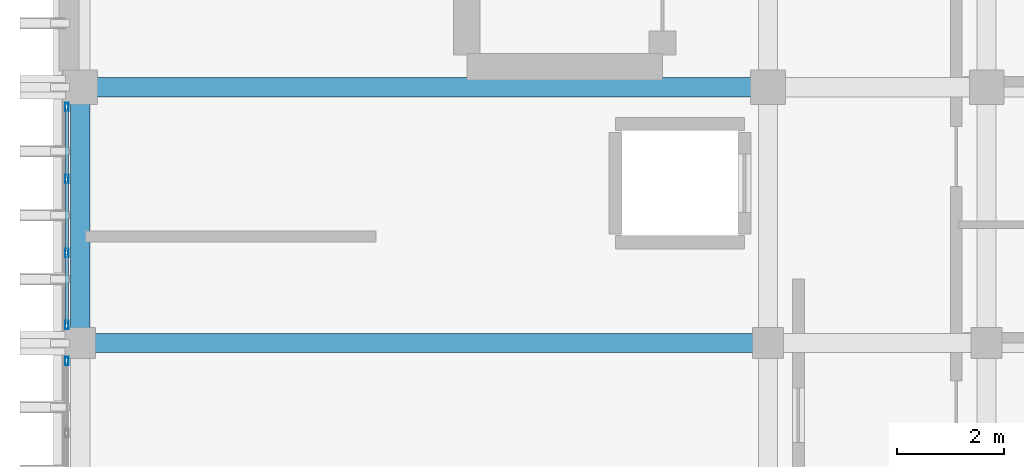
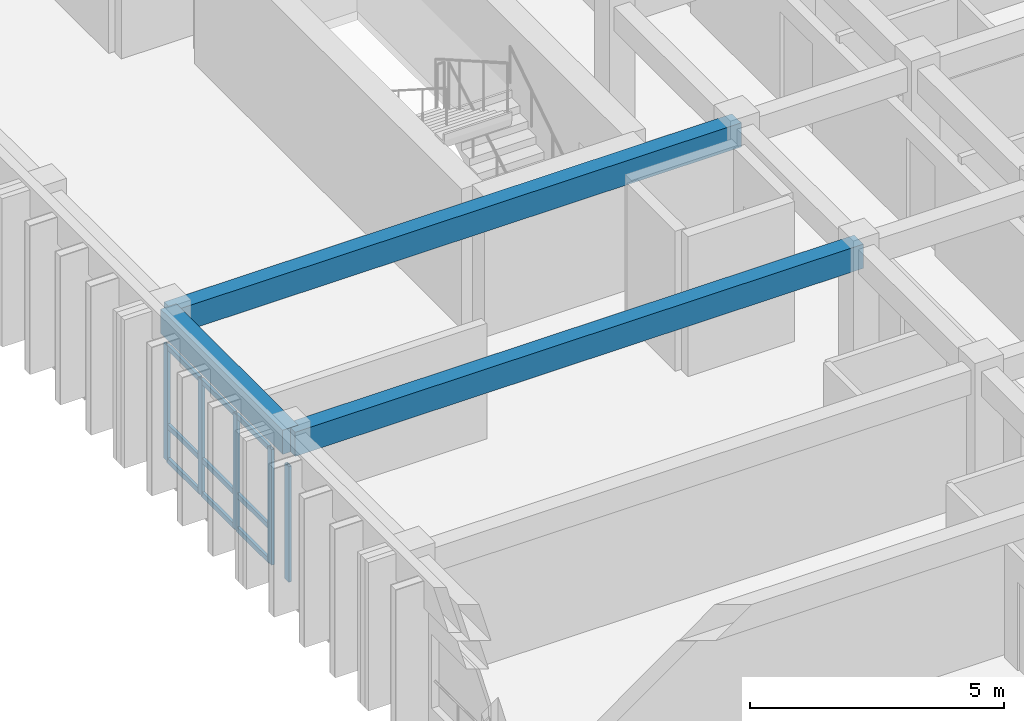
# One storey, part 9 of 49: 14 members, 3 beams, 2 elements without a shape of their own.
"""IFC4 building model written with IfcOpenShell, lengths in metres."""

import ifcopenshell
import ifcopenshell.guid

model = None  # the IFC model being written
_history = None  # IfcOwnerHistory: only IFC2X3 demands one
_inside = {}  # id of a spatial element -> (the spatial element, [elements in it])
_under = {}  # id of a project, library or spatial element -> (it, [spatial elements below it])
_declared = {}  # id of a project -> (the project, [libraries it declares])
_typed = {}  # id of a type object -> (the type object, [elements of that type])
_made_of = {}  # id of a material, layer set ... -> (it, [elements and type objects made of it])


def new_model(schema):
    """Start an empty IFC model of exactly this schema.

    Asked for "IFC4X3", IfcOpenShell would pick the latest addendum, in which some entities
    have other attributes; the version numbers below select the first issue.
    IFC2X3 requires an IfcOwnerHistory on every rooted entity: one is made here for all.
    """
    global model, _history
    if schema == "IFC4X3":
        model = ifcopenshell.file(schema_version=(4, 3, 0, 0))
    else:
        model = ifcopenshell.file(schema=schema)
    _inside.clear()
    _under.clear()
    _declared.clear()
    _typed.clear()
    _made_of.clear()
    _history = None
    if model.schema == "IFC2X3":
        org = make("IfcOrganization", Name="unknown")
        user = make(
            "IfcPersonAndOrganization",
            ThePerson=make("IfcPerson", FamilyName="unknown"),
            TheOrganization=org,
        )
        app = make(
            "IfcApplication",
            ApplicationDeveloper=org,
            Version="unknown",
            ApplicationFullName="unknown",
            ApplicationIdentifier="unknown",
        )
        _history = make(
            "IfcOwnerHistory",
            OwningUser=user,
            OwningApplication=app,
            ChangeAction="ADDED",
            CreationDate=0,
        )
    return model


def make(cls, **values):
    """One entity of the class cls with the attributes given. An attribute that is None is left unset."""
    return model.create_entity(
        cls, **{name: value for name, value in values.items() if value is not None}
    )


def rooted(cls, **values):
    """An entity with a GlobalId (a new one), such as an element, a storey or a relation."""
    return make(cls, GlobalId=ifcopenshell.guid.new(), OwnerHistory=_history, **values)


def si_unit(unit_type, name, prefix=None):
    """IfcSIUnit, for example si_unit("LENGTHUNIT", "METRE", prefix="MILLI")."""
    return make("IfcSIUnit", UnitType=unit_type, Prefix=prefix, Name=name)


def assignment(units):
    """IfcUnitAssignment: the units of a project."""
    return None if units is None else make("IfcUnitAssignment", Units=units)


def point(xyz):
    """IfcCartesianPoint."""
    return None if xyz is None else make("IfcCartesianPoint", Coordinates=xyz)


def direction(xyz):
    """IfcDirection."""
    return None if xyz is None else make("IfcDirection", DirectionRatios=xyz)


def frame(location, z_axis=None, x_axis=None):
    """IfcAxis2Placement3D, a coordinate frame: its origin and axes. An axis left out is left unset."""
    return make(
        "IfcAxis2Placement3D",
        Location=point(location),
        Axis=direction(z_axis),
        RefDirection=direction(x_axis),
    )


def frame_2d(location, x_axis=None):
    """IfcAxis2Placement2D, a coordinate frame in the plane: its origin and x axis."""
    return make(
        "IfcAxis2Placement2D", Location=point(location), RefDirection=direction(x_axis)
    )


def origin():
    """The frame at (0, 0, 0) with its axes left unset."""
    return frame((0.0, 0.0, 0.0))


def origin_2d():
    """The frame at (0, 0) in the plane with its x axis left unset."""
    return frame_2d((0.0, 0.0))


def place(relative_to, where):
    """IfcLocalPlacement: puts the frame where relative to a parent placement (None: the world)."""
    return make(
        "IfcLocalPlacement", PlacementRelTo=relative_to, RelativePlacement=where
    )


def context(
    kind, dimensions, precision=None, world=None, true_north=None, identifier=None
):
    """IfcGeometricRepresentationContext, for example the 3D "Model" context."""
    return make(
        "IfcGeometricRepresentationContext",
        ContextIdentifier=identifier,
        ContextType=kind,
        CoordinateSpaceDimension=dimensions,
        Precision=precision,
        WorldCoordinateSystem=world,
        TrueNorth=true_north,
    )


def subcontext(parent, identifier, kind, view, scale=None):
    """IfcGeometricRepresentationSubContext, for example "Body" below "Model"."""
    return make(
        "IfcGeometricRepresentationSubContext",
        ContextIdentifier=identifier,
        ContextType=kind,
        ParentContext=parent,
        TargetScale=scale,
        TargetView=view,
    )


def project(units=None, contexts=None):
    """IfcProject with its units and contexts."""
    return rooted(
        "IfcProject",
        Name="project",
        RepresentationContexts=contexts,
        UnitsInContext=assignment(units),
    )


def spatial(cls, under=None, at=None, **own):
    """A site, building, storey or space (cls), placed at a placement, below another one or the project."""
    s = rooted(cls, ObjectPlacement=at, **own)
    if under is not None:
        _under.setdefault(under.id(), (under, []))[1].append(s)
    return s


def profile(cls, at=None, kind="AREA", **sizes):
    """A parametric profile (cls). Its sizes go by their IFC names, for example OverallWidth=200.0."""
    return make(cls, ProfileType=kind, Position=at, **sizes)


def rectangle(**sizes):
    """IfcRectangleProfileDef."""
    return profile("IfcRectangleProfileDef", **sizes)


def hollow_rectangle(**sizes):
    """IfcRectangleHollowProfileDef."""
    return profile("IfcRectangleHollowProfileDef", **sizes)


def extrude(swept, where, along, depth):
    """IfcExtrudedAreaSolid: the profile swept, set in the frame where, extruded along a direction by depth."""
    return make(
        "IfcExtrudedAreaSolid",
        SweptArea=swept,
        Position=where,
        ExtrudedDirection=direction(along),
        Depth=depth,
    )


def shape(context_of_items, identifier, shape_type, items):
    """IfcShapeRepresentation: the items that make up one representation, for example the "Body"."""
    return make(
        "IfcShapeRepresentation",
        ContextOfItems=context_of_items,
        RepresentationIdentifier=identifier,
        RepresentationType=shape_type,
        Items=items,
    )


def material(Name=None, Category=None):
    """IfcMaterial."""
    return make("IfcMaterial", Name=Name, Category=Category)


def layer(
    of_material, thickness, ventilated=None, Name=None, Category=None, Priority=None
):
    """IfcMaterialLayer: one layer of a wall or slab, of a material (None: an air gap)."""
    return make(
        "IfcMaterialLayer",
        Material=of_material,
        LayerThickness=thickness,
        IsVentilated=ventilated,
        Name=Name,
        Category=Category,
        Priority=Priority,
    )


def layer_set(layers, Name=None):
    """IfcMaterialLayerSet."""
    return make("IfcMaterialLayerSet", MaterialLayers=layers, LayerSetName=Name)


def material_profile(
    of_material, cross_section, Name=None, Category=None, Priority=None
):
    """IfcMaterialProfile: a cross section and its material."""
    return make(
        "IfcMaterialProfile",
        Name=Name,
        Material=of_material,
        Profile=cross_section,
        Priority=Priority,
        Category=Category,
    )


def profile_set(profiles, Name=None, composite=None):
    """IfcMaterialProfileSet."""
    return make(
        "IfcMaterialProfileSet",
        Name=Name,
        MaterialProfiles=profiles,
        CompositeProfile=composite,
    )


def made_of(thing, what):
    """Note that an element or type object is made of a material, layer set ...; save() writes the relation."""
    if what is not None:
        _made_of.setdefault(what.id(), (what, []))[1].append(thing)
    return thing


def type_object(cls, material=None, **own):
    """A type object (cls), such as IfcWallType, which elements share."""
    return made_of(rooted(cls, **own), material)


def element(
    cls,
    number,
    at=None,
    inside=None,
    cuts=None,
    type_object=None,
    material=None,
    context=None,
    identifier="Body",
    shape_type=None,
    held_by="IfcProductDefinitionShape",
    body=None,
    shapes=None,
    **own,
):
    """One element of the class cls, such as IfcWall. Its Tag is "e" and its number.

    at: its placement. inside: the storey or other place that contains it. cuts: it is an
    opening in that element (IfcRelVoidsElement). A single representation is given by context,
    identifier, shape_type and body (its items); several are given by shapes. held_by: the class
    of the entity that holds the representations. save() writes the other relations.
    """
    e = rooted(cls, Tag="e%d" % number, ObjectPlacement=at, **own)
    if body is not None:
        shapes = [shape(context, identifier, shape_type, body)]
    if shapes is not None:
        e.Representation = make(held_by, Representations=shapes)
    if inside is not None:
        _inside.setdefault(inside.id(), (inside, []))[1].append(e)
    if cuts is not None:
        rooted(
            "IfcRelVoidsElement", RelatingBuildingElement=cuts, RelatedOpeningElement=e
        )
    if type_object is not None:
        _typed.setdefault(type_object.id(), (type_object, []))[1].append(e)
    return made_of(e, material)


def aggregate(whole, parts):
    """IfcRelAggregates: a whole, such as a stair, and the parts it consists of."""
    return rooted("IfcRelAggregates", RelatingObject=whole, RelatedObjects=parts)


def save(model, path):
    """Write the relations noted so far, then the file.

    IfcRelAggregates (storeys below a building ...), IfcRelContainedInSpatialStructure (elements
    in a storey), IfcRelDefinesByType, IfcRelAssociatesMaterial and IfcRelDeclares: one each for
    every whole, place, type object, material and project.
    """
    for whole, parts in _under.values():
        aggregate(whole, parts)
    for where, things in _inside.values():
        rooted(
            "IfcRelContainedInSpatialStructure",
            RelatedElements=things,
            RelatingStructure=where,
        )
    for kind, things in _typed.values():
        rooted("IfcRelDefinesByType", RelatedObjects=things, RelatingType=kind)
    for what, things in _made_of.values():
        rooted("IfcRelAssociatesMaterial", RelatedObjects=things, RelatingMaterial=what)
    for by, libraries in _declared.values():
        rooted("IfcRelDeclares", RelatingContext=by, RelatedDefinitions=libraries)
    model.write(path)


model = new_model("IFC4")

# Units and contexts
model_context = context("Model", 3, precision=1e-05, world=origin(), true_north=direction((0.0, 1.0)))
body_context = subcontext(model_context, "Body", "Model", "MODEL_VIEW")
ifc_project = project(units=[si_unit("LENGTHUNIT", "METRE"), si_unit("AREAUNIT", "SQUARE_METRE"), si_unit("VOLUMEUNIT", "CUBIC_METRE"), si_unit("PLANEANGLEUNIT", "RADIAN"), si_unit("MASSUNIT", "GRAM", prefix="KILO")], contexts=[model_context])

# Site, building, storey
site_placement = place(None, origin())
site = spatial("IfcSite", under=ifc_project, at=site_placement, CompositionType="ELEMENT")
building_placement = place(site_placement, origin())
building = spatial("IfcBuilding", under=site, at=building_placement, Name="Nakhvara Creek Congress Hotel", CompositionType="ELEMENT")
storey_placement = place(building_placement, frame((0.0, 0.0, 39.0)))
storey = spatial("IfcBuildingStorey", under=building, at=storey_placement, Name="L09", CompositionType="ELEMENT", Elevation=39.0)

# Beams
ifc_material_1 = material(Name="Concrete C40/50", Category="concrete")
ifc_material_profile_1 = material_profile(ifc_material_1, rectangle(XDim=0.360107421875, YDim=0.580078125, at=origin_2d()), Name="RC-BM 360x580", Category="LoadBearing")
ifc_profile_set_1 = profile_set([ifc_material_profile_1], Name="Concrete C40/50")
beam_type = type_object("IfcBeamType", Name="BM-RC-360X580", PredefinedType="BEAM", material=ifc_profile_set_1)
beam_1_placement = place(storey_placement, frame((149.449951171875, 76.800048828125, 3.070068359375), z_axis=(1.0, 0.0, 0.0), x_axis=(0.0, 1.0, 0.0)))
element("IfcBeam", 1, at=beam_1_placement, inside=storey, type_object=beam_type, Name="Beam B09-L09-2538", PredefinedType="BEAM", context=body_context, shape_type="SweptSolid", body=[
    extrude(rectangle(XDim=0.360107421875, YDim=0.580078125, at=origin_2d()), origin(), (0.0, 0.0, 1.0), 12.900146484375),
])
beam_2_placement = place(storey_placement, frame((149.449951171875, 72.0, 3.070068359375), z_axis=(0.0, 1.0, 0.0), x_axis=(-1.0, 0.0, 0.0)))
element("IfcBeam", 2, at=beam_2_placement, inside=storey, type_object=beam_type, Name="Beam B09-L09-2539", PredefinedType="BEAM", context=body_context, shape_type="SweptSolid", body=[
    extrude(rectangle(XDim=0.360107421875, YDim=0.580078125, at=origin_2d()), origin(), (0.0, 0.0, 1.0), 4.800048828125),
])
beam_3_placement = place(storey_placement, frame((149.449951171875, 72.0, 3.070068359375), z_axis=(1.0, 0.0, 0.0), x_axis=(0.0, 1.0, 0.0)))
element("IfcBeam", 3, at=beam_3_placement, inside=storey, type_object=beam_type, Name="Beam B09-L09-2612", PredefinedType="BEAM", context=body_context, shape_type="SweptSolid", body=[
    extrude(rectangle(XDim=0.360107421875, YDim=0.580078125, at=origin_2d()), origin(), (0.0, 0.0, 1.0), 12.900146484375),
])

# Curtain wall, member
ifc_material_2 = material(Name="Bronze-anodised aluminium AW-6063-T6 and double-silver low-E glass", Category="aluminium")
ifc_layer = layer(ifc_material_2, 0.199951171875)
ifc_layer_set = layer_set([ifc_layer], Name="Bronze-anodised aluminium AW-6063-T6 and double-silver low-E glass")
curtain_wall_type = type_object("IfcCurtainWallType", Name="CW-HTL-UNIT", PredefinedType="USERDEFINED", material=ifc_layer_set)
curtain_wall_1_placement = place(storey_placement, origin())
curtain_wall_1 = element("IfcCurtainWall", 4, at=curtain_wall_1_placement, inside=storey, type_object=curtain_wall_type, Name="Curtain Wall CW298", ObjectType="UNITISED", PredefinedType="USERDEFINED")
ifc_material_3 = material(Name="Bronze-anodised aluminium AW-6063-T6", Category="aluminium")
ifc_material_profile_2 = material_profile(ifc_material_3, hollow_rectangle(XDim=0.06494140625, YDim=0.159912109375, WallThickness=0.00390625, at=origin_2d()), Name="ALU-MULL 65x160x4", Category="LoadBearing")
ifc_profile_set_2 = profile_set([ifc_material_profile_2], Name="Bronze-anodised aluminium AW-6063-T6")
member_type_1 = type_object("IfcMemberType", Name="CW-MULL-160", PredefinedType="MULLION", material=ifc_profile_set_2)
member_1_placement = place(storey_placement, frame((149.199951171875, 71.66259765625, 0.0), z_axis=(0.0, 0.0, 1.0), x_axis=(-1.0, 0.0, 0.0)))
member_1 = element("IfcMember", 5, at=member_1_placement, type_object=member_type_1, Name="CW298 mullion 4", PredefinedType="MULLION", context=body_context, shape_type="SweptSolid", body=[
    extrude(hollow_rectangle(XDim=0.06494140625, YDim=0.159912109375, WallThickness=0.00390625, at=origin_2d()), origin(), (0.0, 0.0, 1.0), 2.77197265625),
])
aggregate(curtain_wall_1, [member_1])

# Curtain wall, members
curtain_wall_2_placement = place(storey_placement, origin())
curtain_wall_2 = element("IfcCurtainWall", 6, at=curtain_wall_2_placement, inside=storey, type_object=curtain_wall_type, Name="Curtain Wall CW300", ObjectType="UNITISED", PredefinedType="USERDEFINED")
member_2_placement = place(storey_placement, frame((149.199951171875, 72.33740234375, 0.0), z_axis=(0.0, 0.0, 1.0), x_axis=(-1.0, 0.0, 0.0)))
member_2 = element("IfcMember", 7, at=member_2_placement, type_object=member_type_1, Name="CW300 mullion 1", PredefinedType="MULLION", context=body_context, shape_type="SweptSolid", body=[
    extrude(hollow_rectangle(XDim=0.06494140625, YDim=0.159912109375, WallThickness=0.00390625, at=origin_2d()), origin(), (0.0, 0.0, 1.0), 2.77197265625),
])
member_3_placement = place(storey_placement, frame((149.199951171875, 73.68994140625, 0.0), z_axis=(0.0, 0.0, 1.0), x_axis=(-1.0, 0.0, 0.0)))
member_3 = element("IfcMember", 8, at=member_3_placement, type_object=member_type_1, Name="CW300 mullion 2", PredefinedType="MULLION", context=body_context, shape_type="SweptSolid", body=[
    extrude(hollow_rectangle(XDim=0.06494140625, YDim=0.159912109375, WallThickness=0.00390625, at=origin_2d()), origin(), (0.0, 0.0, 1.0), 2.77197265625),
])
member_4_placement = place(storey_placement, frame((149.199951171875, 75.074951171875, 0.0), z_axis=(0.0, 0.0, 1.0), x_axis=(-1.0, 0.0, 0.0)))
member_4 = element("IfcMember", 9, at=member_4_placement, type_object=member_type_1, Name="CW300 mullion 3", PredefinedType="MULLION", context=body_context, shape_type="SweptSolid", body=[
    extrude(hollow_rectangle(XDim=0.06494140625, YDim=0.159912109375, WallThickness=0.00390625, at=origin_2d()), origin(), (0.0, 0.0, 1.0), 2.77197265625),
])
member_5_placement = place(storey_placement, frame((149.199951171875, 76.427490234375, 0.0), z_axis=(0.0, 0.0, 1.0), x_axis=(-1.0, 0.0, 0.0)))
member_5 = element("IfcMember", 10, at=member_5_placement, type_object=member_type_1, Name="CW300 mullion 4", PredefinedType="MULLION", context=body_context, shape_type="SweptSolid", body=[
    extrude(hollow_rectangle(XDim=0.06494140625, YDim=0.159912109375, WallThickness=0.00390625, at=origin_2d()), origin(), (0.0, 0.0, 1.0), 2.77197265625),
])
ifc_material_profile_3 = material_profile(ifc_material_3, hollow_rectangle(XDim=0.06494140625, YDim=0.1201171875, WallThickness=0.00390625, at=origin_2d()), Name="ALU-TRAN 65x120x4", Category="LoadBearing")
ifc_profile_set_3 = profile_set([ifc_material_profile_3], Name="Bronze-anodised aluminium AW-6063-T6")
member_type_2 = type_object("IfcMemberType", Name="CW-TRAN-120", PredefinedType="USERDEFINED", material=ifc_profile_set_3)
member_6_placement = place(storey_placement, frame((149.199951171875, 72.3701171875, 0.032470703125), z_axis=(0.0, 1.0, 0.0), x_axis=(-1.0, 0.0, 0.0)))
member_6 = element("IfcMember", 11, at=member_6_placement, type_object=member_type_2, Name="CW300 transom 1.1", ObjectType="TRANSOM", PredefinedType="USERDEFINED", context=body_context, shape_type="SweptSolid", body=[
    extrude(hollow_rectangle(XDim=0.06494140625, YDim=0.1201171875, WallThickness=0.00390625, at=origin_2d()), origin(), (0.0, 0.0, 1.0), 1.287353515625),
])
member_7_placement = place(storey_placement, frame((149.199951171875, 72.3701171875, 0.85009765625), z_axis=(0.0, 1.0, 0.0), x_axis=(-1.0, 0.0, 0.0)))
member_7 = element("IfcMember", 12, at=member_7_placement, type_object=member_type_2, Name="CW300 transom 1.2", ObjectType="TRANSOM", PredefinedType="USERDEFINED", context=body_context, shape_type="SweptSolid", body=[
    extrude(hollow_rectangle(XDim=0.06494140625, YDim=0.1201171875, WallThickness=0.00390625, at=origin_2d()), origin(), (0.0, 0.0, 1.0), 1.287353515625),
])
member_8_placement = place(storey_placement, frame((149.199951171875, 72.3701171875, 2.739501953125), z_axis=(0.0, 1.0, 0.0), x_axis=(-1.0, 0.0, 0.0)))
member_8 = element("IfcMember", 13, at=member_8_placement, type_object=member_type_2, Name="CW300 transom 1.3", ObjectType="TRANSOM", PredefinedType="USERDEFINED", context=body_context, shape_type="SweptSolid", body=[
    extrude(hollow_rectangle(XDim=0.06494140625, YDim=0.1201171875, WallThickness=0.00390625, at=origin_2d()), origin(), (0.0, 0.0, 1.0), 1.287353515625),
])
member_9_placement = place(storey_placement, frame((149.199951171875, 73.722412109375, 0.032470703125), z_axis=(0.0, 1.0, 0.0), x_axis=(-1.0, 0.0, 0.0)))
member_9 = element("IfcMember", 14, at=member_9_placement, type_object=member_type_2, Name="CW300 transom 2.1", ObjectType="TRANSOM", PredefinedType="USERDEFINED", context=body_context, shape_type="SweptSolid", body=[
    extrude(hollow_rectangle(XDim=0.06494140625, YDim=0.1201171875, WallThickness=0.00390625, at=origin_2d()), origin(), (0.0, 0.0, 1.0), 1.320068359375),
])
member_10_placement = place(storey_placement, frame((149.199951171875, 73.722412109375, 0.85009765625), z_axis=(0.0, 1.0, 0.0), x_axis=(-1.0, 0.0, 0.0)))
member_10 = element("IfcMember", 15, at=member_10_placement, type_object=member_type_2, Name="CW300 transom 2.2", ObjectType="TRANSOM", PredefinedType="USERDEFINED", context=body_context, shape_type="SweptSolid", body=[
    extrude(hollow_rectangle(XDim=0.06494140625, YDim=0.1201171875, WallThickness=0.00390625, at=origin_2d()), origin(), (0.0, 0.0, 1.0), 1.320068359375),
])
member_11_placement = place(storey_placement, frame((149.199951171875, 73.722412109375, 2.739501953125), z_axis=(0.0, 1.0, 0.0), x_axis=(-1.0, 0.0, 0.0)))
member_11 = element("IfcMember", 16, at=member_11_placement, type_object=member_type_2, Name="CW300 transom 2.3", ObjectType="TRANSOM", PredefinedType="USERDEFINED", context=body_context, shape_type="SweptSolid", body=[
    extrude(hollow_rectangle(XDim=0.06494140625, YDim=0.1201171875, WallThickness=0.00390625, at=origin_2d()), origin(), (0.0, 0.0, 1.0), 1.320068359375),
])
member_12_placement = place(storey_placement, frame((149.199951171875, 75.107421875, 0.032470703125), z_axis=(0.0, 1.0, 0.0), x_axis=(-1.0, 0.0, 0.0)))
member_12 = element("IfcMember", 17, at=member_12_placement, type_object=member_type_2, Name="CW300 transom 3.1", ObjectType="TRANSOM", PredefinedType="USERDEFINED", context=body_context, shape_type="SweptSolid", body=[
    extrude(hollow_rectangle(XDim=0.06494140625, YDim=0.1201171875, WallThickness=0.00390625, at=origin_2d()), origin(), (0.0, 0.0, 1.0), 1.28759765625),
])
member_13_placement = place(storey_placement, frame((149.199951171875, 75.107421875, 0.85009765625), z_axis=(0.0, 1.0, 0.0), x_axis=(-1.0, 0.0, 0.0)))
member_13 = element("IfcMember", 18, at=member_13_placement, type_object=member_type_2, Name="CW300 transom 3.2", ObjectType="TRANSOM", PredefinedType="USERDEFINED", context=body_context, shape_type="SweptSolid", body=[
    extrude(hollow_rectangle(XDim=0.06494140625, YDim=0.1201171875, WallThickness=0.00390625, at=origin_2d()), origin(), (0.0, 0.0, 1.0), 1.28759765625),
])
member_14_placement = place(storey_placement, frame((149.199951171875, 75.107421875, 2.739501953125), z_axis=(0.0, 1.0, 0.0), x_axis=(-1.0, 0.0, 0.0)))
member_14 = element("IfcMember", 19, at=member_14_placement, type_object=member_type_2, Name="CW300 transom 3.3", ObjectType="TRANSOM", PredefinedType="USERDEFINED", context=body_context, shape_type="SweptSolid", body=[
    extrude(hollow_rectangle(XDim=0.06494140625, YDim=0.1201171875, WallThickness=0.00390625, at=origin_2d()), origin(), (0.0, 0.0, 1.0), 1.28759765625),
])
aggregate(curtain_wall_2, [member_2, member_3, member_4, member_5, member_6, member_7, member_8, member_9, member_10, member_11, member_12, member_13, member_14])

save(model, "model.ifc")
